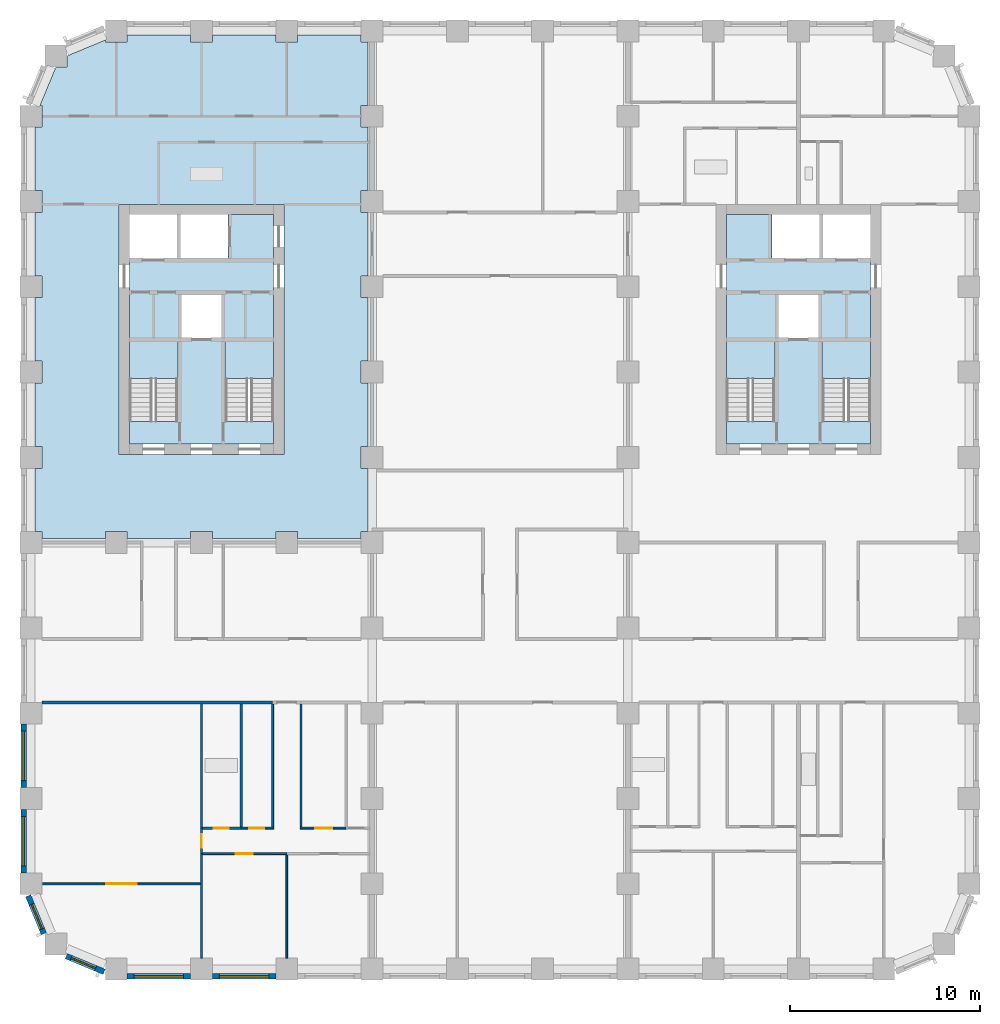
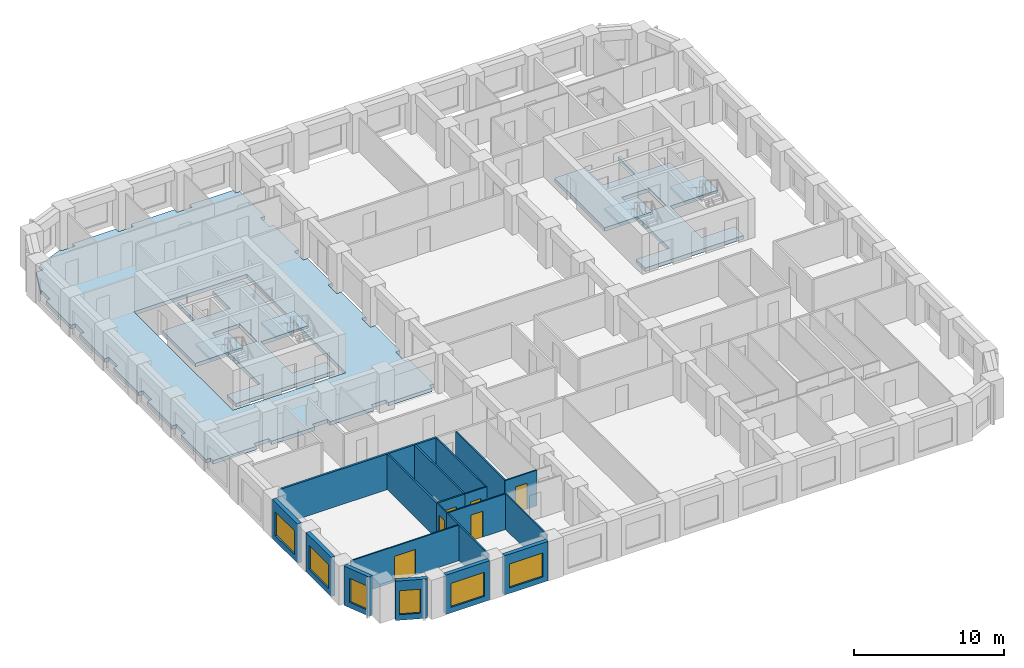
# One storey, part 2 of 12: 19 walls, 7 slabs, 6 doors, 6 windows, 12 openings, 4 elements without a shape of their own.
"""IFC4 building model written with IfcOpenShell, lengths in metres."""

from ifc_helpers import new_model, si_unit, direction, frame, frame_2d, origin, place, context, subcontext, project, spatial, polyline, rectangle, outline, extrude, material, layer, layer_set, type_object, element, fill, aggregate, save


model = new_model("IFC4")

# Units and contexts
model_context = context("Model", 3, precision=1e-05, world=origin(), true_north=direction((0.0, 1.0)))
body_context = subcontext(model_context, "Body", "Model", "MODEL_VIEW")
ifc_project = project(units=[si_unit("LENGTHUNIT", "METRE"), si_unit("AREAUNIT", "SQUARE_METRE"), si_unit("VOLUMEUNIT", "CUBIC_METRE"), si_unit("PLANEANGLEUNIT", "RADIAN"), si_unit("MASSUNIT", "GRAM", prefix="KILO")], contexts=[model_context])

# Site, building, storey
site_placement = place(None, origin())
site = spatial("IfcSite", under=ifc_project, at=site_placement, CompositionType="ELEMENT")
building_placement = place(site_placement, origin())
building = spatial("IfcBuilding", under=site, at=building_placement, Name="Girih Gate Residences", CompositionType="ELEMENT")
storey_placement = place(building_placement, frame((0.0, 0.0, 108.800048828125)))
storey = spatial("IfcBuildingStorey", under=building, at=storey_placement, Name="L30", CompositionType="ELEMENT", Elevation=108.800048828125)

# Slabs
ifc_material_1 = material(Name="Concrete C40/50", Category="concrete")
ifc_layer_1 = layer(ifc_material_1, 0.300048828125)
ifc_layer_set_1 = layer_set([ifc_layer_1], Name="Core floor slab 300")
slab_type_1 = type_object("IfcSlabType", Name="Core floor slab 300", PredefinedType="FLOOR", material=ifc_layer_set_1)
slab_1_placement = place(storey_placement, frame((0.0, 0.0, -0.300048828125)))
element("IfcSlab", 1, at=slab_1_placement, inside=storey, type_object=slab_type_1, Name="L30 W core floor", PredefinedType="FLOOR", context=body_context, shape_type="SweptSolid", body=[
    extrude(outline(polyline([(12.800048828125, 27.699951171875), (5.199951171875, 27.699951171875), (5.199951171875, 28.900634765625), (7.75, 28.900634765625), (7.75, 33.10009765625), (5.199951171875, 33.10009765625), (5.199951171875, 37.5), (7.699951171875, 37.5), (7.699951171875, 39.800048828125), (7.89990234375, 39.800048828125), (7.89990234375, 37.5), (10.39990234375, 37.5), (10.39990234375, 39.800048828125), (12.800048828125, 39.800048828125), (12.800048828125, 33.10009765625), (10.25, 33.10009765625), (10.25, 28.900634765625), (12.800048828125, 28.900634765625), (12.800048828125, 27.699951171875)]), holes=[polyline([(7.949951171875, 33.300048828125), (10.050048828125, 33.300048828125), (10.050048828125, 35.60009765625), (7.949951171875, 35.60009765625), (7.949951171875, 33.300048828125)])]), origin(), (0.0, 0.0, 1.0), 0.300048828125),
])
slab_2_placement = place(storey_placement, frame((0.0, 0.0, -0.300048828125)))
element("IfcSlab", 2, at=slab_2_placement, inside=storey, type_object=slab_type_1, Name="L30 E core floor", PredefinedType="FLOOR", context=body_context, shape_type="SweptSolid", body=[
    extrude(outline(polyline([(44.300048828125, 27.699951171875), (36.699951171875, 27.699951171875), (36.699951171875, 28.900634765625), (39.25, 28.900634765625), (39.25, 33.10009765625), (36.699951171875, 33.10009765625), (36.699951171875, 39.800048828125), (39.10009765625, 39.800048828125), (39.10009765625, 37.5), (41.60009765625, 37.5), (41.60009765625, 39.800048828125), (41.800048828125, 39.800048828125), (41.800048828125, 37.5), (44.300048828125, 37.5), (44.300048828125, 33.10009765625), (41.75, 33.10009765625), (41.75, 28.900634765625), (44.300048828125, 28.900634765625), (44.300048828125, 27.699951171875)]), holes=[polyline([(39.449951171875, 33.300048828125), (41.550048828125, 33.300048828125), (41.550048828125, 35.60009765625), (39.449951171875, 35.60009765625), (39.449951171875, 33.300048828125)])]), origin(), (0.0, 0.0, 1.0), 0.300048828125),
])
ifc_layer_2 = layer(ifc_material_1, 0.300048828125)
ifc_layer_set_2 = layer_set([ifc_layer_2], Name="Floor slab PT 300 Concrete C40/50")
slab_type_2 = type_object("IfcSlabType", Name="Floor slab PT 300 Concrete C40/50", PredefinedType="FLOOR", material=ifc_layer_set_2)
slab_3_placement = place(storey_placement, frame((0.0, 0.0, -0.300048828125)))
element("IfcSlab", 3, at=slab_3_placement, inside=storey, type_object=slab_type_2, Name="Floor slab L30 3", PredefinedType="FLOOR", context=body_context, shape_type="SweptSolid", body=[
    extrude(outline(polyline([(0.22509765625, 26.425048828125), (0.22509765625, 23.074951171875), (0.574951171875, 23.074951171875), (0.574951171875, 22.72509765625), (3.925048828125, 22.72509765625), (3.925048828125, 23.074951171875), (5.074951171875, 23.074951171875), (5.074951171875, 22.72509765625), (8.425048828125, 22.72509765625), (8.425048828125, 23.074951171875), (9.574951171875, 23.074951171875), (9.574951171875, 22.72509765625), (12.925048828125, 22.72509765625), (12.925048828125, 23.074951171875), (14.074951171875, 23.074951171875), (14.074951171875, 22.72509765625), (17.425048828125, 22.72509765625), (17.425048828125, 23.074951171875), (17.77490234375, 23.074951171875), (17.77490234375, 26.425048828125), (17.425048828125, 26.425048828125), (17.425048828125, 27.574951171875), (17.77490234375, 27.574951171875), (17.77490234375, 30.925048828125), (17.425048828125, 30.925048828125), (17.425048828125, 32.074951171875), (17.77490234375, 32.074951171875), (17.77490234375, 35.425048828125), (17.425048828125, 35.425048828125), (17.425048828125, 36.574951171875), (17.77490234375, 36.574951171875), (17.77490234375, 39.925048828125), (17.425048828125, 39.925048828125), (17.425048828125, 41.074951171875), (17.77490234375, 41.074951171875), (17.77490234375, 44.425048828125), (17.425048828125, 44.425048828125), (17.425048828125, 45.574951171875), (17.77490234375, 45.574951171875), (17.77490234375, 48.925048828125), (17.425048828125, 48.925048828125), (17.425048828125, 49.27490234375), (14.074951171875, 49.27490234375), (14.074951171875, 48.925048828125), (12.925048828125, 48.925048828125), (12.925048828125, 49.27490234375), (9.574951171875, 49.27490234375), (9.574951171875, 48.925048828125), (8.425048828125, 48.925048828125), (8.425048828125, 49.27490234375), (5.074951171875, 49.27490234375), (5.074951171875, 48.925048828125), (3.925048828125, 48.925048828125), (3.925048828125, 49.018310546875), (1.89306640625, 48.176513671875), (1.89306640625, 47.60693359375), (1.323486328125, 47.60693359375), (0.481689453125, 45.574951171875), (0.574951171875, 45.574951171875), (0.574951171875, 44.425048828125), (0.22509765625, 44.425048828125), (0.22509765625, 41.074951171875), (0.574951171875, 41.074951171875), (0.574951171875, 39.925048828125), (0.22509765625, 39.925048828125), (0.22509765625, 36.574951171875), (0.574951171875, 36.574951171875), (0.574951171875, 35.425048828125), (0.22509765625, 35.425048828125), (0.22509765625, 32.074951171875), (0.574951171875, 32.074951171875), (0.574951171875, 30.925048828125), (0.22509765625, 30.925048828125), (0.22509765625, 27.574951171875), (0.574951171875, 27.574951171875), (0.574951171875, 26.425048828125), (0.22509765625, 26.425048828125)]), holes=[polyline([(13.35009765625, 40.35009765625), (13.35009765625, 27.14990234375), (4.64990234375, 27.14990234375), (4.64990234375, 40.35009765625), (13.35009765625, 40.35009765625)])]), origin(), (0.0, 0.0, 1.0), 0.300048828125),
])

# Stair, slab
stair_type = type_object("IfcStairType", Name="Exit stair", PredefinedType="HALF_TURN_STAIR", material=ifc_material_1)
stair_1_placement = place(storey_placement, origin())
stair_1 = element("IfcStair", 4, at=stair_1_placement, inside=storey, type_object=stair_type, Name="L30 Exit Stair ST-W1", PredefinedType="HALF_TURN_STAIR")
ifc_layer_3 = layer(ifc_material_1, 0.199951171875)
ifc_layer_set_3 = layer_set([ifc_layer_3], Name="Stair landing 200")
slab_type_3 = type_object("IfcSlabType", Name="Stair landing 200", PredefinedType="LANDING", material=ifc_layer_set_3)
slab_4_placement = place(storey_placement, frame((0.0, 0.0, 1.39990234375)))
slab_4 = element("IfcSlab", 5, at=slab_4_placement, type_object=slab_type_3, Name="ST-W1 landing 1", PredefinedType="LANDING", context=body_context, shape_type="SweptSolid", body=[
    extrude(outline(polyline([(7.75, 31.14990234375), (7.75, 33.10009765625), (5.199951171875, 33.10009765625), (5.199951171875, 31.14990234375), (7.75, 31.14990234375)])), origin(), (0.0, 0.0, 1.0), 0.199951171875),
])
aggregate(stair_1, [slab_4])

stair_2_placement = place(storey_placement, origin())
stair_2 = element("IfcStair", 6, at=stair_2_placement, inside=storey, type_object=stair_type, Name="L30 Exit Stair ST-W2", PredefinedType="HALF_TURN_STAIR")
slab_5_placement = place(storey_placement, frame((0.0, 0.0, 1.39990234375)))
slab_5 = element("IfcSlab", 7, at=slab_5_placement, type_object=slab_type_3, Name="ST-W2 landing 1", PredefinedType="LANDING", context=body_context, shape_type="SweptSolid", body=[
    extrude(outline(polyline([(12.800048828125, 31.14990234375), (12.800048828125, 33.10009765625), (10.25, 33.10009765625), (10.25, 31.14990234375), (12.800048828125, 31.14990234375)])), origin(), (0.0, 0.0, 1.0), 0.199951171875),
])
aggregate(stair_2, [slab_5])

stair_3_placement = place(storey_placement, origin())
stair_3 = element("IfcStair", 8, at=stair_3_placement, inside=storey, type_object=stair_type, Name="L30 Exit Stair ST-E1", PredefinedType="HALF_TURN_STAIR")
slab_6_placement = place(storey_placement, frame((0.0, 0.0, 1.39990234375)))
slab_6 = element("IfcSlab", 9, at=slab_6_placement, type_object=slab_type_3, Name="ST-E1 landing 1", PredefinedType="LANDING", context=body_context, shape_type="SweptSolid", body=[
    extrude(outline(polyline([(44.300048828125, 31.14990234375), (44.300048828125, 33.10009765625), (41.75, 33.10009765625), (41.75, 31.14990234375), (44.300048828125, 31.14990234375)])), origin(), (0.0, 0.0, 1.0), 0.199951171875),
])
aggregate(stair_3, [slab_6])

stair_4_placement = place(storey_placement, origin())
stair_4 = element("IfcStair", 10, at=stair_4_placement, inside=storey, type_object=stair_type, Name="L30 Exit Stair ST-E2", PredefinedType="HALF_TURN_STAIR")
slab_7_placement = place(storey_placement, frame((0.0, 0.0, 1.39990234375)))
slab_7 = element("IfcSlab", 11, at=slab_7_placement, type_object=slab_type_3, Name="ST-E2 landing 1", PredefinedType="LANDING", context=body_context, shape_type="SweptSolid", body=[
    extrude(outline(polyline([(39.25, 31.14990234375), (39.25, 33.10009765625), (36.699951171875, 33.10009765625), (36.699951171875, 31.14990234375), (39.25, 31.14990234375)])), origin(), (0.0, 0.0, 1.0), 0.199951171875),
])
aggregate(stair_4, [slab_7])

# Walls
ifc_material_2 = material(Name="Gypsum board on steel studs", Category="steel")
ifc_layer_4 = layer(ifc_material_2, 0.14990234375)
ifc_layer_set_4 = layer_set([ifc_layer_4], Name="Compartment wall 150 mm")
wall_type_1 = type_object("IfcWallType", Name="Compartment wall 150 mm", PredefinedType="PARTITIONING", material=ifc_layer_set_4)
wall_1_placement = place(storey_placement, frame((0.574951171875, 14.074951171875, 0.0), z_axis=(0.0, 0.0, 1.0), x_axis=(1.0, 0.0, 0.0)))
element("IfcWall", 12, at=wall_1_placement, inside=storey, type_object=wall_type_1, Name="L30 partition", PredefinedType="PARTITIONING", context=body_context, shape_type="SweptSolid", body=[
    extrude(rectangle(XDim=12.175048828125, YDim=0.14990234375, at=frame_2d((6.08740234375, 0.0))), origin(), (0.0, 0.0, 1.0), 2.89990234375),
])
ifc_layer_5 = layer(ifc_material_2, 0.10009765625)
ifc_layer_set_5 = layer_set([ifc_layer_5], Name="Partition 100 mm")
wall_type_2 = type_object("IfcWallType", Name="Partition 100 mm", PredefinedType="PARTITIONING", material=ifc_layer_set_5)
wall_2_placement = place(storey_placement, frame((13.5, 0.574951171875, 0.0), z_axis=(0.0, 0.0, 1.0), x_axis=(0.0, 1.0, 0.0)))
element("IfcWall", 13, at=wall_2_placement, inside=storey, type_object=wall_type_2, Name="L30 partition", PredefinedType="PARTITIONING", context=body_context, shape_type="SweptSolid", body=[
    extrude(rectangle(XDim=5.469970703125, YDim=0.10009765625, at=frame_2d((2.73486328125, 0.0))), origin(), (0.0, 0.0, 1.0), 2.89990234375),
])

# Wall, opening, door
wall_3_placement = place(storey_placement, frame((13.5, 6.094970703125, 0.0), z_axis=(0.0, 0.0, 1.0), x_axis=(-1.0, 0.0, 0.0)))
wall_3 = element("IfcWall", 14, at=wall_3_placement, inside=storey, type_object=wall_type_2, Name="L30 partition", PredefinedType="PARTITIONING", context=body_context, shape_type="SweptSolid", body=[
    extrude(rectangle(XDim=4.449951171875, YDim=0.10009765625, at=frame_2d((2.22509765625, 0.0))), origin(), (0.0, 0.0, 1.0), 2.89990234375),
])
opening_1_placement = place(wall_3_placement, frame((1.800048828125, 0.0, 0.0)))
opening_1 = element("IfcOpeningElement", 15, at=opening_1_placement, cuts=wall_3, Name="Opening A30-002", PredefinedType="OPENING", context=body_context, shape_type="SweptSolid", body=[
    extrude(rectangle(XDim=0.89990234375, YDim=2.10009765625, at=frame_2d((0.449951171875, 1.050048828125))), frame((0.0, 0.06005859375, 0.0), z_axis=(0.0, -1.0, 0.0), x_axis=(1.0, 0.0, 0.0)), (0.0, 0.0, 1.0), 0.1201171875),
])
ifc_material_3 = material(Name="Timber", Category="wood")
door_type_1 = type_object("IfcDoorType", Name="Bedroom door 900x2100", OperationType="NOTDEFINED", PredefinedType="DOOR", material=ifc_material_3)
door_1_placement = place(opening_1_placement, origin())
door_1 = element("IfcDoor", 16, at=door_1_placement, inside=storey, type_object=door_type_1, Name="Door A30-002", OperationType="SINGLE_SWING_RIGHT", OverallHeight=2.10009765625, OverallWidth=0.89990234375, PredefinedType="DOOR", context=body_context, shape_type="SweptSolid", body=[
    extrude(rectangle(XDim=0.89990234375, YDim=2.10009765625, at=frame_2d((0.449951171875, 1.050048828125))), frame((0.0, 0.02490234375, 0.0), z_axis=(0.0, -1.0, 0.0), x_axis=(1.0, 0.0, 0.0)), (0.0, 0.0, 1.0), 0.050048828125),
])
fill(opening_1, door_1)

# Wall
wall_4_placement = place(storey_placement, frame((9.0, 0.574951171875, 0.0), z_axis=(0.0, 0.0, 1.0), x_axis=(0.0, 1.0, 0.0)))
element("IfcWall", 17, at=wall_4_placement, inside=storey, type_object=wall_type_2, Name="L30 partition", PredefinedType="PARTITIONING", context=body_context, shape_type="SweptSolid", body=[
    extrude(rectangle(XDim=5.52001953125, YDim=0.10009765625, at=frame_2d((2.760009765625, 0.0))), origin(), (0.0, 0.0, 1.0), 2.89990234375),
])

# Wall, opening, door
wall_5_placement = place(storey_placement, frame((9.0, 6.094970703125, 0.0), z_axis=(0.0, 0.0, 1.0), x_axis=(0.0, 1.0, 0.0)))
wall_5 = element("IfcWall", 18, at=wall_5_placement, inside=storey, type_object=wall_type_2, Name="L30 partition", PredefinedType="PARTITIONING", context=body_context, shape_type="SweptSolid", body=[
    extrude(rectangle(XDim=1.340087890625, YDim=0.10009765625, at=frame_2d((0.669921875, 0.0))), origin(), (0.0, 0.0, 1.0), 2.89990234375),
])
opening_2_placement = place(wall_5_placement, frame((0.31005859375, 0.0, 0.0)))
opening_2 = element("IfcOpeningElement", 19, at=opening_2_placement, cuts=wall_5, Name="Opening A30-004", PredefinedType="OPENING", context=body_context, shape_type="SweptSolid", body=[
    extrude(rectangle(XDim=0.699951171875, YDim=2.10009765625, at=frame_2d((0.35009765625, 1.050048828125))), frame((0.0, 0.06005859375, 0.0), z_axis=(0.0, -1.0, 0.0), x_axis=(1.0, 0.0, 0.0)), (0.0, 0.0, 1.0), 0.1201171875),
])
door_type_2 = type_object("IfcDoorType", Name="Narrow door 700x2100", OperationType="NOTDEFINED", PredefinedType="DOOR", material=ifc_material_3)
door_2_placement = place(opening_2_placement, origin())
door_2 = element("IfcDoor", 20, at=door_2_placement, inside=storey, type_object=door_type_2, Name="Door A30-004", OperationType="SINGLE_SWING_LEFT", OverallHeight=2.10009765625, OverallWidth=0.699951171875, PredefinedType="DOOR", context=body_context, shape_type="SweptSolid", body=[
    extrude(rectangle(XDim=0.699951171875, YDim=2.10009765625, at=frame_2d((0.35009765625, 1.050048828125))), frame((0.0, 0.02490234375, 0.0), z_axis=(0.0, -1.0, 0.0), x_axis=(1.0, 0.0, 0.0)), (0.0, 0.0, 1.0), 0.050048828125),
])
fill(opening_2, door_2)

wall_6_placement = place(storey_placement, frame((0.622314453125, 4.5, 0.0), z_axis=(0.0, 0.0, 1.0), x_axis=(1.0, 0.0, 0.0)))
wall_6 = element("IfcWall", 21, at=wall_6_placement, inside=storey, type_object=wall_type_2, Name="L30 partition", PredefinedType="PARTITIONING", context=body_context, shape_type="SweptSolid", body=[
    extrude(rectangle(XDim=8.32763671875, YDim=0.10009765625, at=frame_2d((4.163818359375, 0.0))), origin(), (0.0, 0.0, 1.0), 2.89990234375),
])
opening_3_placement = place(wall_6_placement, frame((3.364990234375, 0.0, 0.0)))
opening_3 = element("IfcOpeningElement", 22, at=opening_3_placement, cuts=wall_6, Name="Opening A30-005", PredefinedType="OPENING", context=body_context, shape_type="SweptSolid", body=[
    extrude(rectangle(XDim=1.60009765625, YDim=2.10009765625, at=frame_2d((0.800048828125, 1.050048828125))), frame((0.0, 0.06005859375, 0.0), z_axis=(0.0, -1.0, 0.0), x_axis=(1.0, 0.0, 0.0)), (0.0, 0.0, 1.0), 0.1201171875),
])
door_type_3 = type_object("IfcDoorType", Name="Double leaf door 1600x2100", OperationType="NOTDEFINED", PredefinedType="DOOR", material=ifc_material_3)
door_3_placement = place(opening_3_placement, origin())
door_3 = element("IfcDoor", 23, at=door_3_placement, inside=storey, type_object=door_type_3, Name="Door A30-005", OperationType="SINGLE_SWING_RIGHT", OverallHeight=2.10009765625, OverallWidth=1.60009765625, PredefinedType="DOOR", context=body_context, shape_type="SweptSolid", body=[
    extrude(rectangle(XDim=1.60009765625, YDim=2.10009765625, at=frame_2d((0.800048828125, 1.050048828125))), frame((0.0, 0.02490234375, 0.0), z_axis=(0.0, -1.0, 0.0), x_axis=(1.0, 0.0, 0.0)), (0.0, 0.0, 1.0), 0.050048828125),
])
fill(opening_3, door_3)

# Wall
wall_7_placement = place(storey_placement, frame((14.25, 7.485107421875, 0.0), z_axis=(0.0, 0.0, 1.0), x_axis=(0.0, 1.0, 0.0)))
element("IfcWall", 24, at=wall_7_placement, inside=storey, type_object=wall_type_2, Name="L30 partition", PredefinedType="PARTITIONING", context=body_context, shape_type="SweptSolid", body=[
    extrude(rectangle(XDim=6.514892578125, YDim=0.10009765625, at=frame_2d((3.25732421875, 0.0))), origin(), (0.0, 0.0, 1.0), 2.89990234375),
])

# Wall, opening, door
wall_8_placement = place(storey_placement, frame((14.199951171875, 7.43505859375, 0.0), z_axis=(0.0, 0.0, 1.0), x_axis=(1.0, 0.0, 0.0)))
wall_8 = element("IfcWall", 25, at=wall_8_placement, inside=storey, type_object=wall_type_2, Name="L30 partition", PredefinedType="PARTITIONING", context=body_context, shape_type="SweptSolid", body=[
    extrude(rectangle(XDim=2.43505859375, YDim=0.10009765625, at=frame_2d((1.217529296875, 0.0))), origin(), (0.0, 0.0, 1.0), 2.89990234375),
])
opening_4_placement = place(wall_8_placement, frame((0.79248046875, 0.0, 0.0)))
opening_4 = element("IfcOpeningElement", 26, at=opening_4_placement, cuts=wall_8, Name="Opening A30-006", PredefinedType="OPENING", context=body_context, shape_type="SweptSolid", body=[
    extrude(rectangle(XDim=0.89990234375, YDim=2.10009765625, at=frame_2d((0.449951171875, 1.050048828125))), frame((0.0, 0.06005859375, 0.0), z_axis=(0.0, -1.0, 0.0), x_axis=(1.0, 0.0, 0.0)), (0.0, 0.0, 1.0), 0.1201171875),
])
door_type_4 = type_object("IfcDoorType", Name="Kitchen door 900x2100", OperationType="NOTDEFINED", PredefinedType="DOOR", material=ifc_material_3)
door_4_placement = place(opening_4_placement, origin())
door_4 = element("IfcDoor", 27, at=door_4_placement, inside=storey, type_object=door_type_4, Name="Door A30-006", OperationType="SINGLE_SWING_RIGHT", OverallHeight=2.10009765625, OverallWidth=0.89990234375, PredefinedType="DOOR", context=body_context, shape_type="SweptSolid", body=[
    extrude(rectangle(XDim=0.89990234375, YDim=2.10009765625, at=frame_2d((0.449951171875, 1.050048828125))), frame((0.0, 0.02490234375, 0.0), z_axis=(0.0, -1.0, 0.0), x_axis=(1.0, 0.0, 0.0)), (0.0, 0.0, 1.0), 0.050048828125),
])
fill(opening_4, door_4)

wall_9_placement = place(storey_placement, frame((11.09521484375, 7.43505859375, 0.0), z_axis=(0.0, 0.0, 1.0), x_axis=(1.0, 0.0, 0.0)))
wall_9 = element("IfcWall", 28, at=wall_9_placement, inside=storey, type_object=wall_type_2, Name="L30 partition", PredefinedType="PARTITIONING", context=body_context, shape_type="SweptSolid", body=[
    extrude(rectangle(XDim=1.704833984375, YDim=0.10009765625, at=frame_2d((0.8525390625, 0.0))), origin(), (0.0, 0.0, 1.0), 2.89990234375),
])
opening_5_placement = place(wall_9_placement, frame((0.427490234375, 0.0, 0.0)))
opening_5 = element("IfcOpeningElement", 29, at=opening_5_placement, cuts=wall_9, Name="Opening A30-008", PredefinedType="OPENING", context=body_context, shape_type="SweptSolid", body=[
    extrude(rectangle(XDim=0.800048828125, YDim=2.10009765625, at=frame_2d((0.39990234375, 1.050048828125))), frame((0.0, 0.06005859375, 0.0), z_axis=(0.0, -1.0, 0.0), x_axis=(1.0, 0.0, 0.0)), (0.0, 0.0, 1.0), 0.1201171875),
])
door_type_5 = type_object("IfcDoorType", Name="Store door 800x2100", OperationType="NOTDEFINED", PredefinedType="DOOR", material=ifc_material_3)
door_5_placement = place(opening_5_placement, origin())
door_5 = element("IfcDoor", 30, at=door_5_placement, inside=storey, type_object=door_type_5, Name="Door A30-008", OperationType="SINGLE_SWING_LEFT", OverallHeight=2.10009765625, OverallWidth=0.800048828125, PredefinedType="DOOR", context=body_context, shape_type="SweptSolid", body=[
    extrude(rectangle(XDim=0.800048828125, YDim=2.10009765625, at=frame_2d((0.39990234375, 1.050048828125))), frame((0.0, 0.02490234375, 0.0), z_axis=(0.0, -1.0, 0.0), x_axis=(1.0, 0.0, 0.0)), (0.0, 0.0, 1.0), 0.050048828125),
])
fill(opening_5, door_5)

# Wall
wall_10_placement = place(storey_placement, frame((12.75, 7.485107421875, 0.0), z_axis=(0.0, 0.0, 1.0), x_axis=(0.0, 1.0, 0.0)))
element("IfcWall", 31, at=wall_10_placement, inside=storey, type_object=wall_type_2, Name="L30 partition", PredefinedType="PARTITIONING", context=body_context, shape_type="SweptSolid", body=[
    extrude(rectangle(XDim=6.514892578125, YDim=0.10009765625, at=frame_2d((3.25732421875, 0.0))), origin(), (0.0, 0.0, 1.0), 2.89990234375),
])

# Wall, opening, window
ifc_material_4 = material(Name="Precast concrete C50/60", Category="concrete")
ifc_layer_6 = layer(ifc_material_4, 0.080078125, Name="Outer leaf")
ifc_material_5 = material(Name="Rigid PIR insulation")
ifc_layer_7 = layer(ifc_material_5, 0.14990234375, Name="Insulation")
ifc_material_6 = material(Name="Precast concrete C40/50", Category="concrete")
ifc_layer_8 = layer(ifc_material_6, 0.070068359375, Name="Inner leaf")
ifc_layer_set_6 = layer_set([ifc_layer_6, ifc_layer_7, ifc_layer_8], Name="Precast concrete C50/60 external wall 300")
wall_type_3 = type_object("IfcWallType", Name="Precast concrete C50/60 external wall 300", PredefinedType="SOLIDWALL", material=ifc_layer_set_6)
wall_11_placement = place(storey_placement, frame((0.68408203125, 1.86865234375, 0.0), z_axis=(0.0, 0.0, 1.0), x_axis=(-0.382723818695, 0.923862802911, 0.0)))
wall_11 = element("IfcWall", 32, at=wall_11_placement, inside=storey, type_object=wall_type_3, Name="External wall SW0000_0045.0", PredefinedType="SOLIDWALL", context=body_context, shape_type="SweptSolid", body=[
    extrude(rectangle(XDim=2.163818359375, YDim=0.300048828125, at=frame_2d((1.08203125, 0.0))), origin(), (0.0, 0.0, 1.0), 3.199951171875),
])
opening_6_placement = place(wall_11_placement, frame((0.270751953125, 0.0, 0.449951171875)))
opening_6 = element("IfcOpeningElement", 33, at=opening_6_placement, cuts=wall_11, Name="Opening W-2D", PredefinedType="OPENING", context=body_context, shape_type="SweptSolid", body=[
    extrude(rectangle(XDim=1.39990234375, YDim=1.949951171875, at=frame_2d((0.699951171875, 0.97509765625))), frame((0.0, 0.159912109375, 0.0), z_axis=(0.0, -1.0, 0.0), x_axis=(1.0, 0.0, 0.0)), (0.0, 0.0, 1.0), 0.320068359375),
])
ifc_material_7 = material(Name="Double glazing in aluminium frame", Category="aluminium")
window_type_1 = type_object("IfcWindowType", Name="Window W-2D 1400x1950", PartitioningType="SINGLE_PANEL", PredefinedType="WINDOW", material=ifc_material_7)
window_1_placement = place(opening_6_placement, origin())
window_1 = element("IfcWindow", 34, at=window_1_placement, inside=storey, type_object=window_type_1, Name="Window W-2D SW0000_0045.0", OverallHeight=1.949951171875, OverallWidth=1.39990234375, PartitioningType="SINGLE_PANEL", PredefinedType="WINDOW", context=body_context, shape_type="SweptSolid", body=[
    extrude(rectangle(XDim=1.39990234375, YDim=1.949951171875, at=frame_2d((0.699951171875, 0.97509765625))), frame((0.0, 0.030029296875, 0.0), z_axis=(0.0, -1.0, 0.0), x_axis=(1.0, 0.0, 0.0)), (0.0, 0.0, 1.0), 0.06005859375),
])
fill(opening_6, window_1)

wall_12_placement = place(storey_placement, frame((3.86767578125, -0.14404296875, 0.0), z_axis=(0.0, 0.0, 1.0), x_axis=(-0.923862802911, 0.382723818695, 0.0)))
wall_12 = element("IfcWall", 35, at=wall_12_placement, inside=storey, type_object=wall_type_3, Name="External wall SW0013_0013.0", PredefinedType="SOLIDWALL", context=body_context, shape_type="SweptSolid", body=[
    extrude(rectangle(XDim=2.163818359375, YDim=0.300048828125, at=frame_2d((1.08203125, 0.0))), origin(), (0.0, 0.0, 1.0), 3.199951171875),
])
opening_7_placement = place(wall_12_placement, frame((0.492919921875, 0.0, 0.449951171875)))
opening_7 = element("IfcOpeningElement", 36, at=opening_7_placement, cuts=wall_12, Name="Opening W-2D", PredefinedType="OPENING", context=body_context, shape_type="SweptSolid", body=[
    extrude(rectangle(XDim=1.39990234375, YDim=1.949951171875, at=frame_2d((0.699951171875, 0.97509765625))), frame((0.0, 0.159912109375, 0.0), z_axis=(0.0, -1.0, 0.0), x_axis=(1.0, 0.0, 0.0)), (0.0, 0.0, 1.0), 0.320068359375),
])
window_2_placement = place(opening_7_placement, origin())
window_2 = element("IfcWindow", 37, at=window_2_placement, inside=storey, type_object=window_type_1, Name="Window W-2D SW0013_0013.0", OverallHeight=1.949951171875, OverallWidth=1.39990234375, PartitioningType="SINGLE_PANEL", PredefinedType="WINDOW", context=body_context, shape_type="SweptSolid", body=[
    extrude(rectangle(XDim=1.39990234375, YDim=1.949951171875, at=frame_2d((0.699951171875, 0.97509765625))), frame((0.0, 0.030029296875, 0.0), z_axis=(0.0, -1.0, 0.0), x_axis=(1.0, 0.0, 0.0)), (0.0, 0.0, 1.0), 0.06005859375),
])
fill(opening_7, window_2)

wall_13_placement = place(storey_placement, frame((8.425048828125, -0.375, 0.0), z_axis=(0.0, 0.0, 1.0), x_axis=(-1.0, 0.0, 0.0)))
wall_13 = element("IfcWall", 38, at=wall_13_placement, inside=storey, type_object=wall_type_3, Name="External wall S0045_0000.0", PredefinedType="SOLIDWALL", context=body_context, shape_type="SweptSolid", body=[
    extrude(rectangle(XDim=3.35009765625, YDim=0.300048828125, at=frame_2d((1.675048828125, 0.0))), origin(), (0.0, 0.0, 1.0), 3.199951171875),
])
opening_8_placement = place(wall_13_placement, frame((0.375, 0.0, 0.449951171875)))
opening_8 = element("IfcOpeningElement", 39, at=opening_8_placement, cuts=wall_13, Name="Opening W-1A", PredefinedType="OPENING", context=body_context, shape_type="SweptSolid", body=[
    extrude(rectangle(XDim=2.60009765625, YDim=1.949951171875, at=frame_2d((1.300048828125, 0.97509765625))), frame((0.0, 0.159912109375, 0.0), z_axis=(0.0, -1.0, 0.0), x_axis=(1.0, 0.0, 0.0)), (0.0, 0.0, 1.0), 0.320068359375),
])
window_type_2 = type_object("IfcWindowType", Name="Window W-1A 2600x1950", PartitioningType="SINGLE_PANEL", PredefinedType="WINDOW", material=ifc_material_7)
window_3_placement = place(opening_8_placement, origin())
window_3 = element("IfcWindow", 40, at=window_3_placement, inside=storey, type_object=window_type_2, Name="Window W-1A S0045_0000.0", OverallHeight=1.949951171875, OverallWidth=2.60009765625, PartitioningType="SINGLE_PANEL", PredefinedType="WINDOW", context=body_context, shape_type="SweptSolid", body=[
    extrude(rectangle(XDim=2.60009765625, YDim=1.949951171875, at=frame_2d((1.300048828125, 0.97509765625))), frame((0.0, 0.030029296875, 0.0), z_axis=(0.0, -1.0, 0.0), x_axis=(1.0, 0.0, 0.0)), (0.0, 0.0, 1.0), 0.06005859375),
])
fill(opening_8, window_3)

wall_14_placement = place(storey_placement, frame((12.925048828125, -0.375, 0.0), z_axis=(0.0, 0.0, 1.0), x_axis=(-1.0, 0.0, 0.0)))
wall_14 = element("IfcWall", 41, at=wall_14_placement, inside=storey, type_object=wall_type_3, Name="External wall S0045_0000.1", PredefinedType="SOLIDWALL", context=body_context, shape_type="SweptSolid", body=[
    extrude(rectangle(XDim=3.35009765625, YDim=0.300048828125, at=frame_2d((1.675048828125, 0.0))), origin(), (0.0, 0.0, 1.0), 3.199951171875),
])
opening_9_placement = place(wall_14_placement, frame((0.375, 0.0, 0.449951171875)))
opening_9 = element("IfcOpeningElement", 42, at=opening_9_placement, cuts=wall_14, Name="Opening W-1A", PredefinedType="OPENING", context=body_context, shape_type="SweptSolid", body=[
    extrude(rectangle(XDim=2.60009765625, YDim=1.949951171875, at=frame_2d((1.300048828125, 0.97509765625))), frame((0.0, 0.159912109375, 0.0), z_axis=(0.0, -1.0, 0.0), x_axis=(1.0, 0.0, 0.0)), (0.0, 0.0, 1.0), 0.320068359375),
])
window_4_placement = place(opening_9_placement, origin())
window_4 = element("IfcWindow", 43, at=window_4_placement, inside=storey, type_object=window_type_2, Name="Window W-1A S0045_0000.1", OverallHeight=1.949951171875, OverallWidth=2.60009765625, PartitioningType="SINGLE_PANEL", PredefinedType="WINDOW", context=body_context, shape_type="SweptSolid", body=[
    extrude(rectangle(XDim=2.60009765625, YDim=1.949951171875, at=frame_2d((1.300048828125, 0.97509765625))), frame((0.0, 0.030029296875, 0.0), z_axis=(0.0, -1.0, 0.0), x_axis=(1.0, 0.0, 0.0)), (0.0, 0.0, 1.0), 0.06005859375),
])
fill(opening_9, window_4)

wall_15_placement = place(storey_placement, frame((-0.375, 9.574951171875, 0.0), z_axis=(0.0, 0.0, 1.0), x_axis=(0.0, 1.0, 0.0)))
wall_15 = element("IfcWall", 44, at=wall_15_placement, inside=storey, type_object=wall_type_3, Name="External wall W0000_0450.7", PredefinedType="SOLIDWALL", context=body_context, shape_type="SweptSolid", body=[
    extrude(rectangle(XDim=3.35009765625, YDim=0.300048828125, at=frame_2d((1.675048828125, 0.0))), origin(), (0.0, 0.0, 1.0), 3.199951171875),
])
opening_10_placement = place(wall_15_placement, frame((0.375, 0.0, 0.449951171875)))
opening_10 = element("IfcOpeningElement", 45, at=opening_10_placement, cuts=wall_15, Name="Opening W-1A", PredefinedType="OPENING", context=body_context, shape_type="SweptSolid", body=[
    extrude(rectangle(XDim=2.60009765625, YDim=1.949951171875, at=frame_2d((1.300048828125, 0.97509765625))), frame((0.0, 0.159912109375, 0.0), z_axis=(0.0, -1.0, 0.0), x_axis=(1.0, 0.0, 0.0)), (0.0, 0.0, 1.0), 0.320068359375),
])
window_5_placement = place(opening_10_placement, origin())
window_5 = element("IfcWindow", 46, at=window_5_placement, inside=storey, type_object=window_type_2, Name="Window W-1A W0000_0450.7", OverallHeight=1.949951171875, OverallWidth=2.60009765625, PartitioningType="SINGLE_PANEL", PredefinedType="WINDOW", context=body_context, shape_type="SweptSolid", body=[
    extrude(rectangle(XDim=2.60009765625, YDim=1.949951171875, at=frame_2d((1.300048828125, 0.97509765625))), frame((0.0, 0.030029296875, 0.0), z_axis=(0.0, -1.0, 0.0), x_axis=(1.0, 0.0, 0.0)), (0.0, 0.0, 1.0), 0.06005859375),
])
fill(opening_10, window_5)

wall_16_placement = place(storey_placement, frame((-0.375, 5.074951171875, 0.0), z_axis=(0.0, 0.0, 1.0), x_axis=(0.0, 1.0, 0.0)))
wall_16 = element("IfcWall", 47, at=wall_16_placement, inside=storey, type_object=wall_type_3, Name="External wall W0000_0450.8", PredefinedType="SOLIDWALL", context=body_context, shape_type="SweptSolid", body=[
    extrude(rectangle(XDim=3.35009765625, YDim=0.300048828125, at=frame_2d((1.675048828125, 0.0))), origin(), (0.0, 0.0, 1.0), 3.199951171875),
])
opening_11_placement = place(wall_16_placement, frame((0.375, 0.0, 0.449951171875)))
opening_11 = element("IfcOpeningElement", 48, at=opening_11_placement, cuts=wall_16, Name="Opening W-1A", PredefinedType="OPENING", context=body_context, shape_type="SweptSolid", body=[
    extrude(rectangle(XDim=2.60009765625, YDim=1.949951171875, at=frame_2d((1.300048828125, 0.97509765625))), frame((0.0, 0.159912109375, 0.0), z_axis=(0.0, -1.0, 0.0), x_axis=(1.0, 0.0, 0.0)), (0.0, 0.0, 1.0), 0.320068359375),
])
window_6_placement = place(opening_11_placement, origin())
window_6 = element("IfcWindow", 49, at=window_6_placement, inside=storey, type_object=window_type_2, Name="Window W-1A W0000_0450.8", OverallHeight=1.949951171875, OverallWidth=2.60009765625, PartitioningType="SINGLE_PANEL", PredefinedType="WINDOW", context=body_context, shape_type="SweptSolid", body=[
    extrude(rectangle(XDim=2.60009765625, YDim=1.949951171875, at=frame_2d((1.300048828125, 0.97509765625))), frame((0.0, 0.030029296875, 0.0), z_axis=(0.0, -1.0, 0.0), x_axis=(1.0, 0.0, 0.0)), (0.0, 0.0, 1.0), 0.06005859375),
])
fill(opening_11, window_6)

# Wall
ifc_layer_9 = layer(ifc_material_2, 0.125)
ifc_layer_set_7 = layer_set([ifc_layer_9], Name="Wet room wall 125 mm")
wall_type_4 = type_object("IfcWallType", Name="Wet room wall 125 mm", PredefinedType="PARTITIONING", material=ifc_layer_set_7)
wall_17_placement = place(storey_placement, frame((9.0, 7.43505859375, 0.0), z_axis=(0.0, 0.0, 1.0), x_axis=(0.0, 1.0, 0.0)))
element("IfcWall", 50, at=wall_17_placement, inside=storey, type_object=wall_type_4, Name="L30 partition", PredefinedType="PARTITIONING", context=body_context, shape_type="SweptSolid", body=[
    extrude(rectangle(XDim=6.56494140625, YDim=0.125, at=frame_2d((3.282470703125, 0.0))), origin(), (0.0, 0.0, 1.0), 2.89990234375),
])

# Wall, opening, door
wall_18_placement = place(storey_placement, frame((9.0625, 7.43505859375, 0.0), z_axis=(0.0, 0.0, 1.0), x_axis=(1.0, 0.0, 0.0)))
wall_18 = element("IfcWall", 51, at=wall_18_placement, inside=storey, type_object=wall_type_4, Name="L30 partition", PredefinedType="PARTITIONING", context=body_context, shape_type="SweptSolid", body=[
    extrude(rectangle(XDim=2.03271484375, YDim=0.125, at=frame_2d((1.016357421875, 0.0))), origin(), (0.0, 0.0, 1.0), 2.89990234375),
])
opening_12_placement = place(wall_18_placement, frame((0.585205078125, 0.0, 0.0)))
opening_12 = element("IfcOpeningElement", 52, at=opening_12_placement, cuts=wall_18, Name="Opening A30-001", PredefinedType="OPENING", context=body_context, shape_type="SweptSolid", body=[
    extrude(rectangle(XDim=0.800048828125, YDim=2.10009765625, at=frame_2d((0.39990234375, 1.050048828125))), frame((0.0, 0.072509765625, 0.0), z_axis=(0.0, -1.0, 0.0), x_axis=(1.0, 0.0, 0.0)), (0.0, 0.0, 1.0), 0.14501953125),
])
door_type_6 = type_object("IfcDoorType", Name="Bathroom door 800x2100", OperationType="NOTDEFINED", PredefinedType="DOOR", material=ifc_material_3)
door_6_placement = place(opening_12_placement, origin())
door_6 = element("IfcDoor", 53, at=door_6_placement, inside=storey, type_object=door_type_6, Name="Door A30-001", OperationType="SINGLE_SWING_LEFT", OverallHeight=2.10009765625, OverallWidth=0.800048828125, PredefinedType="DOOR", context=body_context, shape_type="SweptSolid", body=[
    extrude(rectangle(XDim=0.800048828125, YDim=2.10009765625, at=frame_2d((0.39990234375, 1.050048828125))), frame((0.0, 0.02490234375, 0.0), z_axis=(0.0, -1.0, 0.0), x_axis=(1.0, 0.0, 0.0)), (0.0, 0.0, 1.0), 0.050048828125),
])
fill(opening_12, door_6)

# Wall
wall_19_placement = place(storey_placement, frame((11.094970703125, 7.49755859375, 0.0), z_axis=(0.0, 0.0, 1.0), x_axis=(0.0, 1.0, 0.0)))
element("IfcWall", 54, at=wall_19_placement, inside=storey, type_object=wall_type_4, Name="L30 partition", PredefinedType="PARTITIONING", context=body_context, shape_type="SweptSolid", body=[
    extrude(rectangle(XDim=6.50244140625, YDim=0.125, at=frame_2d((3.251220703125, 0.0))), origin(), (0.0, 0.0, 1.0), 2.89990234375),
])

save(model, "model.ifc")
